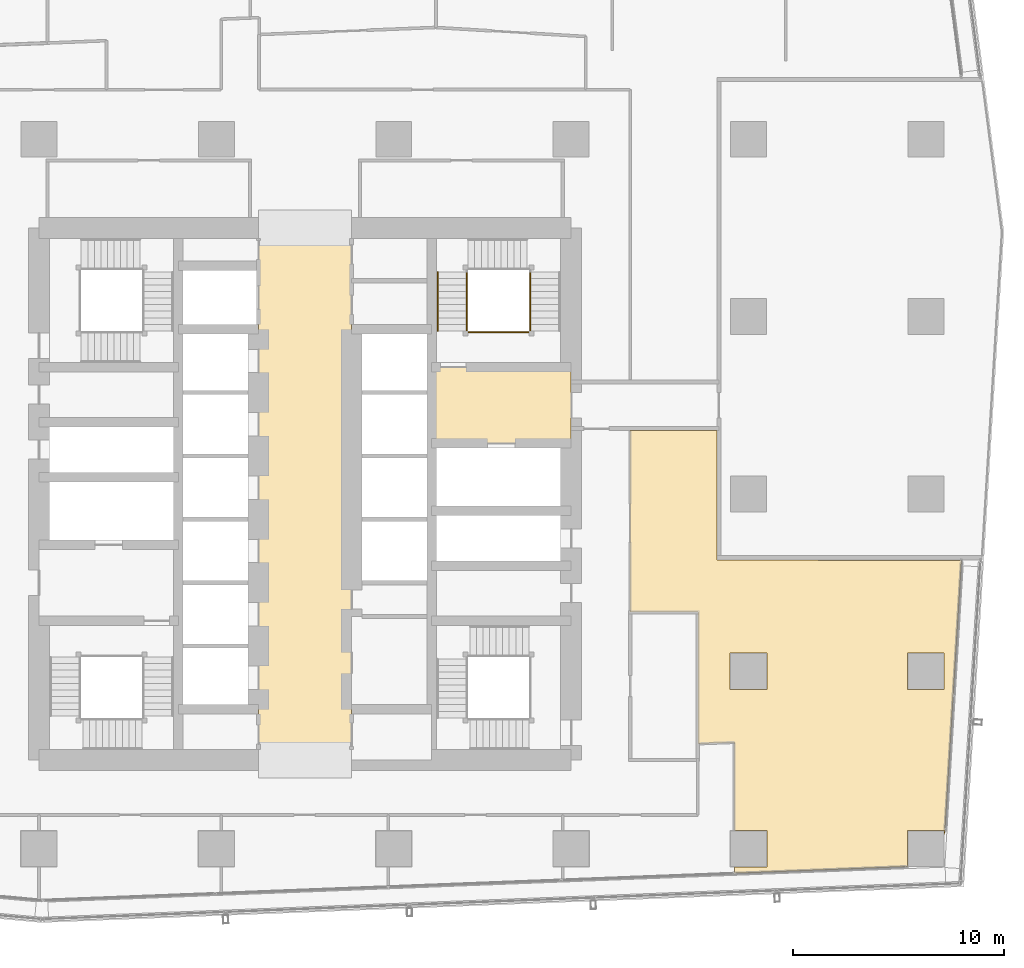
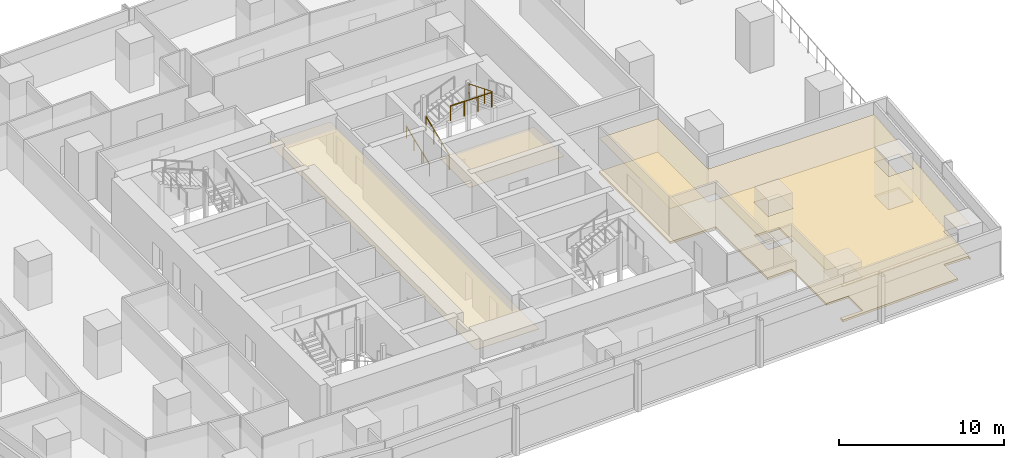
# One storey, part 38 of 40: 4 coverings, 4 railings.
"""IFC4 building model written with IfcOpenShell, lengths in metres."""

from ifc_helpers import new_model, si_unit, direction, frame, origin, origin_2d, place, context, subcontext, project, spatial, polyline, circle, outline, extrude, material, layer, layer_set, type_object, element, save


model = new_model("IFC4")

# Units and contexts
model_context = context("Model", 3, precision=1e-05, world=origin(), true_north=direction((0.0, 1.0)))
body_context = subcontext(model_context, "Body", "Model", "MODEL_VIEW")
ifc_project = project(units=[si_unit("LENGTHUNIT", "METRE"), si_unit("AREAUNIT", "SQUARE_METRE"), si_unit("VOLUMEUNIT", "CUBIC_METRE"), si_unit("PLANEANGLEUNIT", "RADIAN"), si_unit("MASSUNIT", "GRAM", prefix="KILO")], contexts=[model_context])

# Site, building, storey
site_placement = place(None, origin())
site = spatial("IfcSite", under=ifc_project, at=site_placement, CompositionType="ELEMENT")
building_placement = place(site_placement, origin())
building = spatial("IfcBuilding", under=site, at=building_placement, Name="Rekha Terrace Tower", CompositionType="ELEMENT")
storey_placement = place(building_placement, frame((0.0, 0.0, 99.050048828125)))
storey = spatial("IfcBuildingStorey", under=building, at=storey_placement, Name="L24", CompositionType="ELEMENT", Elevation=99.050048828125)

# Coverings
ifc_material_1 = material(Name="Mineral fibre tile in exposed grid", Category="finish")
ifc_layer_1 = layer(ifc_material_1, 0.02001953125)
ifc_layer_set_1 = layer_set([ifc_layer_1], Name="Mineral fibre tile in exposed grid")
covering_type_1 = type_object("IfcCoveringType", Name="CL1 600x1200 office grid ceiling", PredefinedType="CEILING", material=ifc_layer_set_1)
covering_1_placement = place(storey_placement, frame((0.0, 0.0, 2.579833984375)))
element("IfcCovering", 1, at=covering_1_placement, inside=storey, type_object=covering_type_1, Name="Ceiling L24-02", PredefinedType="CEILING", context=body_context, shape_type="SweptSolid", body=[
    extrude(outline(polyline([(58.133056640625, 15.93505859375), (58.133056640625, 15.637939453125), (66.3349609375, 15.95703125), (66.3349609375, 17.6650390625), (68.06494140625, 17.6650390625), (68.06494140625, 17.48291015625), (68.090087890625, 17.48193359375), (68.493896484375, 24.072021484375), (68.493896484375, 24.072998046875), (68.885009765625, 30.445068359375), (62.083984375, 30.445068359375), (62.083984375, 30.47705078125), (57.299072265625, 30.47705078125), (57.299072265625, 36.59912109375), (53.199951171875, 36.59912109375), (53.199951171875, 28.0), (56.39990234375, 28.0), (56.39990234375, 21.77490234375), (58.133056640625, 21.843017578125), (58.133056640625, 17.6650390625), (59.6650390625, 17.6650390625), (59.6650390625, 15.93505859375), (58.133056640625, 15.93505859375)]), holes=[polyline([(68.06494140625, 24.3349609375), (66.3349609375, 24.3349609375), (66.3349609375, 26.06494140625), (68.06494140625, 26.06494140625), (68.06494140625, 24.3349609375)]), polyline([(59.6650390625, 26.06494140625), (59.6650390625, 24.3349609375), (57.93505859375, 24.3349609375), (57.93505859375, 26.06494140625), (59.6650390625, 26.06494140625)])]), origin(), (0.0, 0.0, 1.0), 0.02001953125),
])
ifc_material_2 = material(Name="Powder-coated aluminium pan", Category="aluminium")
ifc_layer_2 = layer(ifc_material_2, 0.030029296875)
ifc_layer_set_2 = layer_set([ifc_layer_2], Name="Powder-coated aluminium pan")
covering_type_2 = type_object("IfcCoveringType", Name="CL3 300x1200 metal pan ceiling", PredefinedType="CEILING", material=ifc_layer_set_2)
covering_2_placement = place(storey_placement, frame((0.0, 0.0, 2.570068359375)))
element("IfcCovering", 2, at=covering_2_placement, inside=storey, type_object=covering_type_2, Name="Ceiling L24-LOBBY", PredefinedType="CEILING", context=body_context, shape_type="SweptSolid", body=[
    extrude(outline(polyline([(40.0, 46.199951171875), (35.60009765625, 46.199951171875), (35.60009765625, 21.0), (40.0, 21.0), (40.0, 46.199951171875)])), origin(), (0.0, 0.0, 1.0), 0.02978515625),
])
covering_3_placement = place(storey_placement, frame((0.0, 0.0, 2.570068359375)))
element("IfcCovering", 3, at=covering_3_placement, inside=storey, type_object=covering_type_2, Name="Ceiling L24-FLB2", PredefinedType="CEILING", context=body_context, shape_type="SweptSolid", body=[
    extrude(outline(polyline([(50.39990234375, 39.60009765625), (43.800048828125, 39.60009765625), (43.800048828125, 36.0), (50.39990234375, 36.0), (50.39990234375, 39.60009765625)])), origin(), (0.0, 0.0, 1.0), 0.02978515625),
])

# Railings
ifc_material_3 = material(Name="Stainless steel balustrade", Category="steel")
railing_type_1 = type_object("IfcRailingType", Name="GR1 1100 stair guard", PredefinedType="GUARDRAIL", material=ifc_material_3)
railing_1_placement = place(storey_placement, frame((45.465087890625, 41.324951171875, 0.125)))
element("IfcRailing", 4, at=railing_1_placement, inside=storey, type_object=railing_type_1, Name="Guard ST2 L24 flight 1", PredefinedType="GUARDRAIL", context=body_context, shape_type="SweptSolid", body=[
    extrude(circle(Radius=0.02392578125, at=origin_2d()), frame((0.0, 0.0, 1.076171875), z_axis=(0.0, 0.927443287984, 0.373963831907), x_axis=(-1.0, 0.0, 0.0)), (0.0, 0.0, 1.0), 3.00830078125),
    extrude(circle(Radius=0.02099609375, at=origin_2d()), origin(), (0.0, 0.0, 1.0), 1.052001953125),
    extrude(circle(Radius=0.02099609375, at=origin_2d()), frame((0.0, 0.929931640625, 0.375)), (0.0, 0.0, 1.0), 1.052001953125),
    extrude(circle(Radius=0.02099609375, at=origin_2d()), frame((0.0, 1.860107421875, 0.75)), (0.0, 0.0, 1.0), 1.052001953125),
    extrude(circle(Radius=0.02099609375, at=origin_2d()), frame((0.0, 2.7900390625, 1.125)), (0.0, 0.0, 1.0), 1.052001953125),
])
railing_2_placement = place(storey_placement, frame((48.4599609375, 44.114990234375, 2.625)))
element("IfcRailing", 5, at=railing_2_placement, inside=storey, type_object=railing_type_1, Name="Guard ST2 L24 flight 3", PredefinedType="GUARDRAIL", context=body_context, shape_type="SweptSolid", body=[
    extrude(circle(Radius=0.02392578125, at=origin_2d()), frame((0.0, 0.0, 1.076171875), z_axis=(0.0, -0.927443287984, 0.373963831907), x_axis=(1.0, 0.0, 0.0)), (0.0, 0.0, 1.0), 3.00830078125),
    extrude(circle(Radius=0.02099609375, at=origin_2d()), origin(), (0.0, 0.0, 1.0), 1.052001953125),
    extrude(circle(Radius=0.02099609375, at=origin_2d()), frame((0.0, -0.929931640625, 0.375)), (0.0, 0.0, 1.0), 1.052001953125),
    extrude(circle(Radius=0.02099609375, at=origin_2d()), frame((0.0, -1.860107421875, 0.75)), (0.0, 0.0, 1.0), 1.052001953125),
    extrude(circle(Radius=0.02099609375, at=origin_2d()), frame((0.0, -2.7900390625, 1.125)), (0.0, 0.0, 1.0), 1.052001953125),
])
railing_3_placement = place(storey_placement, frame((45.52490234375, 41.264892578125, 3.75)))
element("IfcRailing", 6, at=railing_3_placement, inside=storey, type_object=railing_type_1, Name="Guard ST2 L24 landing 4", PredefinedType="GUARDRAIL", context=body_context, shape_type="SweptSolid", body=[
    extrude(circle(Radius=0.02392578125, at=origin_2d()), frame((0.0, 0.0, 1.076171875), z_axis=(1.0, 0.0, 0.0), x_axis=(0.0, 1.0, 0.0)), (0.0, 0.0, 1.0), 2.875),
    extrude(circle(Radius=0.02099609375, at=origin_2d()), origin(), (0.0, 0.0, 1.0), 1.052001953125),
    extrude(circle(Radius=0.02099609375, at=origin_2d()), frame((0.958251953125, 0.0, 0.0)), (0.0, 0.0, 1.0), 1.052001953125),
    extrude(circle(Radius=0.02099609375, at=origin_2d()), frame((1.916748046875, 0.0, 0.0)), (0.0, 0.0, 1.0), 1.052001953125),
    extrude(circle(Radius=0.02099609375, at=origin_2d()), frame((2.875, 0.0, 0.0)), (0.0, 0.0, 1.0), 1.052001953125),
])
ifc_material_4 = material(Name="Stainless steel tube", Category="steel")
railing_type_2 = type_object("IfcRailingType", Name="HR1 900 stair handrail", PredefinedType="HANDRAIL", material=ifc_material_4)
railing_4_placement = place(storey_placement, frame((44.0849609375, 41.324951171875, 0.125)))
element("IfcRailing", 7, at=railing_4_placement, inside=storey, type_object=railing_type_2, Name="Handrail ST2 L24 flight 1", PredefinedType="HANDRAIL", context=body_context, shape_type="SweptSolid", body=[
    extrude(circle(Radius=0.02392578125, at=origin_2d()), frame((0.0, 0.0, 0.8759765625), z_axis=(0.0, 0.927443287984, 0.373963831907), x_axis=(-1.0, 0.0, 0.0)), (0.0, 0.0, 1.0), 3.00830078125),
    extrude(circle(Radius=0.02099609375, at=origin_2d()), origin(), (0.0, 0.0, 1.0), 0.851806640625),
    extrude(circle(Radius=0.02099609375, at=origin_2d()), frame((0.0, 0.929931640625, 0.375)), (0.0, 0.0, 1.0), 0.851806640625),
    extrude(circle(Radius=0.02099609375, at=origin_2d()), frame((0.0, 1.860107421875, 0.75)), (0.0, 0.0, 1.0), 0.851806640625),
    extrude(circle(Radius=0.02099609375, at=origin_2d()), frame((0.0, 2.7900390625, 1.125)), (0.0, 0.0, 1.0), 0.851806640625),
])

# Covering
ifc_material_5 = material(Name="Calcium sulphate panels on steel pedestals", Category="steel")
ifc_layer_3 = layer(ifc_material_5, 0.14990234375)
ifc_layer_set_3 = layer_set([ifc_layer_3], Name="Calcium sulphate panels on steel pedestals")
covering_type_3 = type_object("IfcCoveringType", Name="RF1 150 raised access floor", PredefinedType="FLOORING", material=ifc_layer_set_3)
covering_4_placement = place(storey_placement, origin())
element("IfcCovering", 8, at=covering_4_placement, inside=storey, type_object=covering_type_3, Name="Raised floor L24-02", PredefinedType="FLOORING", context=body_context, shape_type="SweptSolid", body=[
    extrude(outline(polyline([(58.133056640625, 15.93505859375), (58.133056640625, 15.637939453125), (66.3349609375, 15.95703125), (66.3349609375, 17.6650390625), (68.06494140625, 17.6650390625), (68.06494140625, 17.48291015625), (68.090087890625, 17.48193359375), (68.493896484375, 24.072021484375), (68.493896484375, 24.072998046875), (68.885009765625, 30.445068359375), (62.083984375, 30.445068359375), (62.083984375, 30.47705078125), (57.299072265625, 30.47705078125), (57.299072265625, 36.59912109375), (53.199951171875, 36.59912109375), (53.199951171875, 28.0), (56.39990234375, 28.0), (56.39990234375, 21.77490234375), (58.133056640625, 21.843017578125), (58.133056640625, 17.6650390625), (59.6650390625, 17.6650390625), (59.6650390625, 15.93505859375), (58.133056640625, 15.93505859375)]), holes=[polyline([(68.06494140625, 24.3349609375), (66.3349609375, 24.3349609375), (66.3349609375, 26.06494140625), (68.06494140625, 26.06494140625), (68.06494140625, 24.3349609375)]), polyline([(59.6650390625, 26.06494140625), (59.6650390625, 24.3349609375), (57.93505859375, 24.3349609375), (57.93505859375, 26.06494140625), (59.6650390625, 26.06494140625)])]), origin(), (0.0, 0.0, 1.0), 0.14990234375),
])

save(model, "model.ifc")
